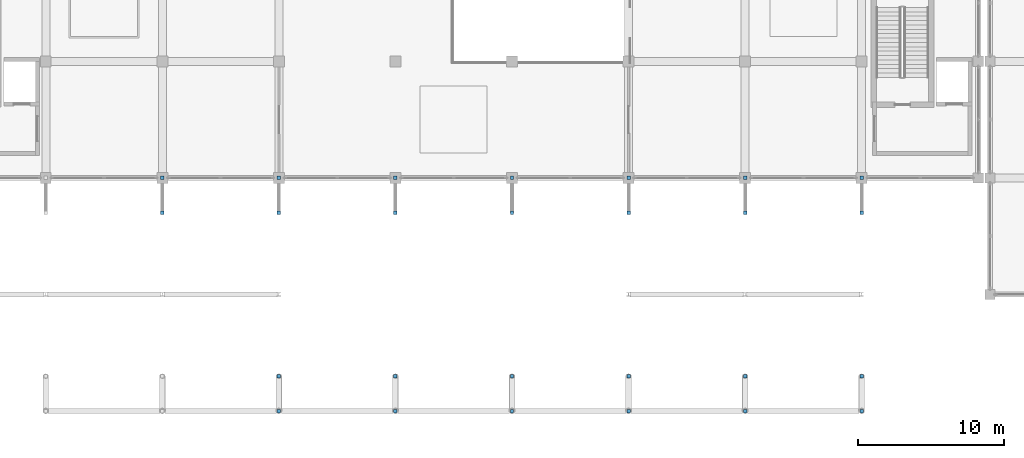
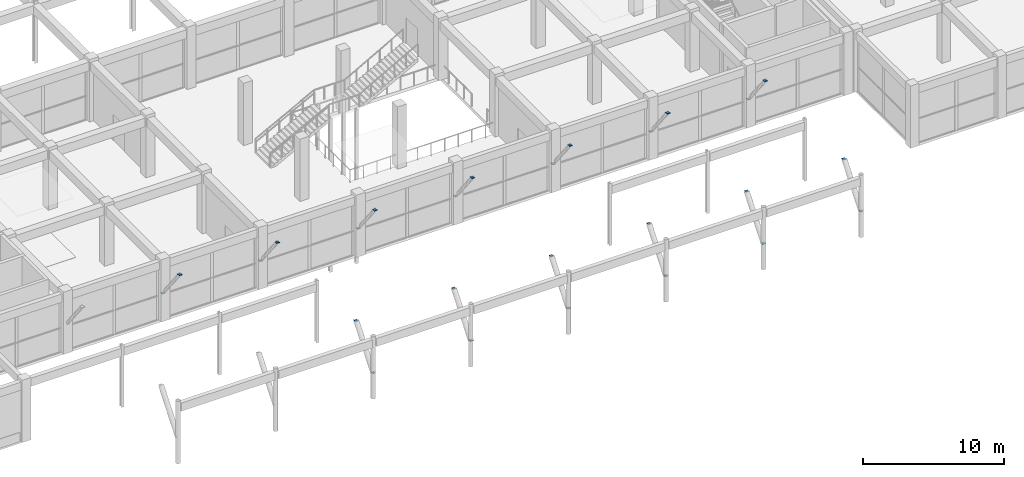
# One storey, part 56 of 69: 26 discrete accessories.
"""IFC4 building model written with IfcOpenShell, lengths in metres."""

from ifc_helpers import new_model, si_unit, direction, frame, origin, origin_2d, place, context, subcontext, project, spatial, rectangle, extrude, material, type_object, element, save


model = new_model("IFC4")

# Units and contexts
model_context = context("Model", 3, precision=1e-05, world=origin(), true_north=direction((0.0, 1.0)))
body_context = subcontext(model_context, "Body", "Model", "MODEL_VIEW")
ifc_project = project(units=[si_unit("LENGTHUNIT", "METRE"), si_unit("AREAUNIT", "SQUARE_METRE"), si_unit("VOLUMEUNIT", "CUBIC_METRE"), si_unit("PLANEANGLEUNIT", "RADIAN"), si_unit("MASSUNIT", "GRAM", prefix="KILO")], contexts=[model_context])

# Site, building, storey
site_placement = place(None, origin())
site = spatial("IfcSite", under=ifc_project, at=site_placement, CompositionType="ELEMENT")
building_placement = place(site_placement, origin())
building = spatial("IfcBuilding", under=site, at=building_placement, Name="Kenh Van Central Station", CompositionType="ELEMENT")
storey_placement = place(building_placement, frame((0.0, 0.0, 5.39990234375)))
storey = spatial("IfcBuildingStorey", under=building, at=storey_placement, Name="L01", CompositionType="ELEMENT", Elevation=5.39990234375)

# Discrete accessories
ifc_material = material(Name="Structural steel S355JR", Category="steel")
discrete_accessory_type = type_object("IfcDiscreteAccessoryType", Name="ACC-END-NODE", PredefinedType="BRACKET", material=ifc_material)
for number, where, z_axis, x_axis, name in (
    (1, (64.0, 16.0, 2.187744140625), (0.0, 0.0, 1.0), (1.0, 0.0, 0.0), "L01 brace end connection node plate 0451"),
    (2, (64.0, 13.60009765625, 5.237548828125), (0.0, 0.0, 1.0), (1.0, 0.0, 0.0), "L01 brace end connection node plate 0452"),
    (3, (72.0, 0.0, 2.187744140625), (0.0, 0.0, 1.0), (1.0, 0.0, 0.0), "L01 brace end connection node plate 0453"),
    (4, (72.0, 2.39990234375, 5.237548828125), (0.0, 0.0, 1.0), (1.0, 0.0, 0.0), "L01 brace end connection node plate 0454"),
    (5, (72.0, 16.0, 2.187744140625), (0.0, 0.0, 1.0), (1.0, 0.0, 0.0), "L01 brace end connection node plate 0455"),
    (6, (72.0, 13.60009765625, 5.237548828125), (0.0, 0.0, 1.0), (1.0, 0.0, 0.0), "L01 brace end connection node plate 0456"),
    (7, (80.0, 0.0, 2.187744140625), (0.0, 0.0, 1.0), (1.0, 0.0, 0.0), "L01 brace end connection node plate 0457"),
    (8, (80.0, 2.39990234375, 5.237548828125), (0.0, 0.0, 1.0), (1.0, 0.0, 0.0), "L01 brace end connection node plate 0458"),
    (9, (80.0, 16.0, 2.187744140625), (0.0, 0.0, 1.0), (1.0, 0.0, 0.0), "L01 brace end connection node plate 0459"),
    (10, (80.0, 13.60009765625, 5.237548828125), (0.0, 0.0, 1.0), (1.0, 0.0, 0.0), "L01 brace end connection node plate 0460"),
    (11, (88.0, 0.0, 2.187744140625), (0.0, 0.0, 1.0), (1.0, 0.0, 0.0), "L01 brace end connection node plate 0461"),
    (12, (88.0, 2.39990234375, 5.237548828125), (0.0, 0.0, 1.0), (1.0, 0.0, 0.0), "L01 brace end connection node plate 0462"),
    (13, (88.0, 16.0, 2.187744140625), (0.0, 0.0, 1.0), (1.0, 0.0, 0.0), "L01 brace end connection node plate 0463"),
    (14, (88.0, 13.60009765625, 5.237548828125), (0.0, 0.0, 1.0), (1.0, 0.0, 0.0), "L01 brace end connection node plate 0464"),
    (15, (96.0, 0.0, 2.187744140625), (0.0, 0.0, 1.0), (1.0, 0.0, 0.0), "L01 brace end connection node plate 0465"),
    (16, (96.0, 2.39990234375, 5.237548828125), (0.0, 0.0, 1.0), (1.0, 0.0, 0.0), "L01 brace end connection node plate 0466"),
    (17, (96.0, 16.0, 2.187744140625), (0.0, 0.0, 1.0), (1.0, 0.0, 0.0), "L01 brace end connection node plate 0467"),
    (18, (96.0, 13.60009765625, 5.237548828125), (0.0, 0.0, 1.0), (1.0, 0.0, 0.0), "L01 brace end connection node plate 0468"),
    (19, (104.0, 0.0, 2.187744140625), (0.0, 0.0, 1.0), (1.0, 0.0, 0.0), "L01 brace end connection node plate 0469"),
    (20, (104.0, 2.39990234375, 5.237548828125), (0.0, 0.0, 1.0), (1.0, 0.0, 0.0), "L01 brace end connection node plate 0470"),
    (21, (104.0, 16.0, 2.187744140625), (0.0, 0.0, 1.0), (1.0, 0.0, 0.0), "L01 brace end connection node plate 0471"),
    (22, (104.0, 13.60009765625, 5.237548828125), (0.0, 0.0, 1.0), (1.0, 0.0, 0.0), "L01 brace end connection node plate 0472"),
    (23, (112.0, 0.0, 2.187744140625), (0.0, 0.0, 1.0), (1.0, 0.0, 0.0), "L01 brace end connection node plate 0473"),
    (24, (112.0, 2.39990234375, 5.237548828125), (0.0, 0.0, 1.0), (1.0, 0.0, 0.0), "L01 brace end connection node plate 0474"),
    (25, (112.0, 16.0, 2.187744140625), (0.0, 0.0, 1.0), (1.0, 0.0, 0.0), "L01 brace end connection node plate 0475"),
    (26, (112.0, 13.60009765625, 5.237548828125), (0.0, 0.0, 1.0), (1.0, 0.0, 0.0), "L01 brace end connection node plate 0476"),
):
    element("IfcDiscreteAccessory", number, at=place(storey_placement, frame(where, z_axis=z_axis, x_axis=x_axis)), inside=storey, type_object=discrete_accessory_type, Name=name, PredefinedType="BRACKET", context=body_context, shape_type="SweptSolid", body=[
        extrude(rectangle(XDim=0.239990234375, YDim=0.239990234375, at=origin_2d()), origin(), (0.0, 0.0, 1.0), 0.02490234375),
    ])

save(model, "model.ifc")
